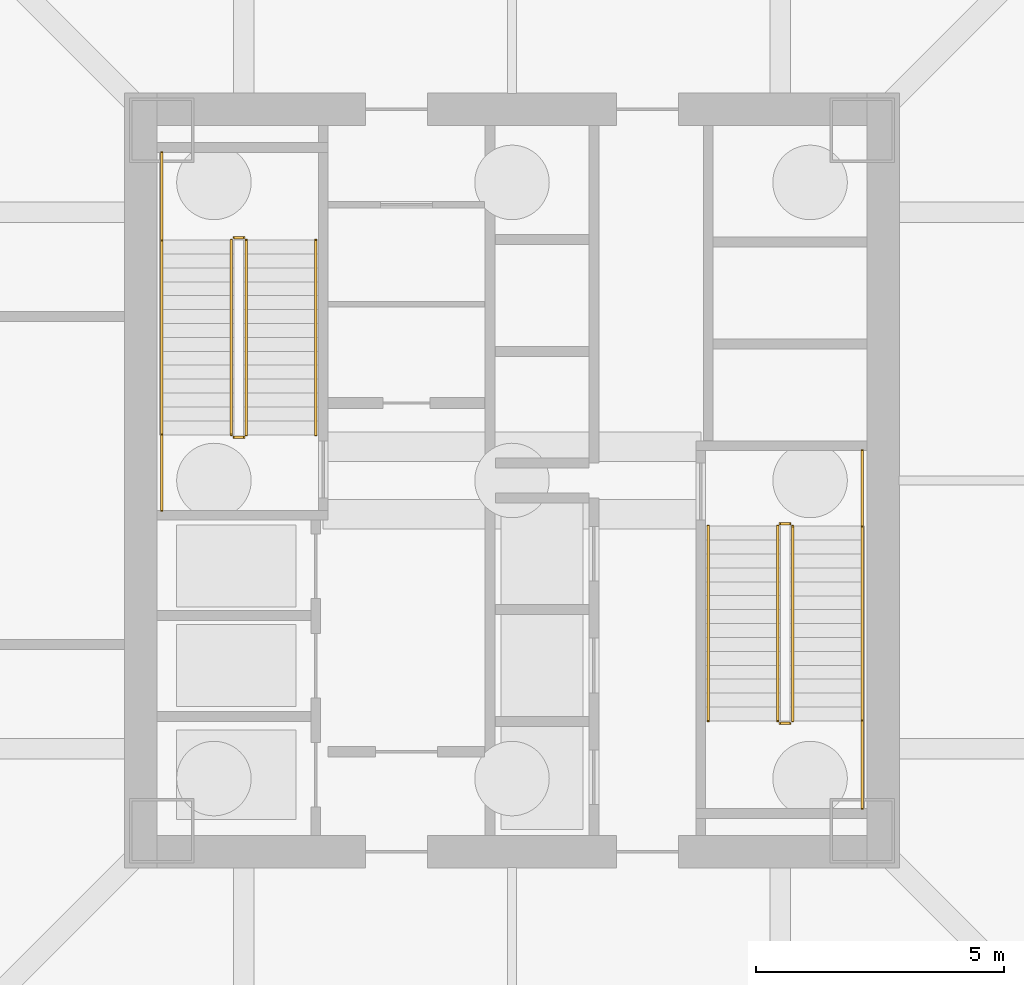
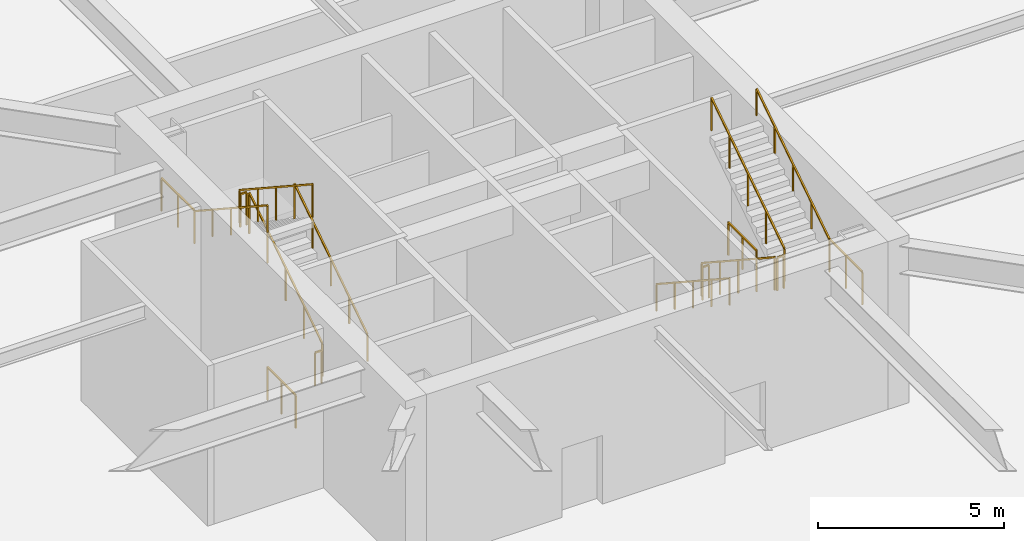
# One storey, part 15 of 19: 16 railings.
"""IFC4 building model written with IfcOpenShell, lengths in metres."""

from ifc_helpers import new_model, si_unit, direction, frame, origin, origin_2d, place, context, subcontext, project, spatial, rectangle, extrude, material, type_object, element, save


model = new_model("IFC4")

# Units and contexts
model_context = context("Model", 3, precision=1e-05, world=origin(), true_north=direction((0.0, 1.0)))
body_context = subcontext(model_context, "Body", "Model", "MODEL_VIEW")
ifc_project = project(units=[si_unit("LENGTHUNIT", "METRE"), si_unit("AREAUNIT", "SQUARE_METRE"), si_unit("VOLUMEUNIT", "CUBIC_METRE"), si_unit("PLANEANGLEUNIT", "RADIAN"), si_unit("MASSUNIT", "GRAM", prefix="KILO")], contexts=[model_context])

# Site, building, storey
site_placement = place(None, origin())
site = spatial("IfcSite", under=ifc_project, at=site_placement, CompositionType="ELEMENT")
building_placement = place(site_placement, origin())
building = spatial("IfcBuilding", under=site, at=building_placement, Name="Tashvorn Skyway Center", CompositionType="ELEMENT")
storey_placement = place(building_placement, frame((0.0, 0.0, -11.0)))
storey = spatial("IfcBuildingStorey", under=building, at=storey_placement, Name="B2", CompositionType="ELEMENT", Elevation=-11.0)

# Railings
ifc_material_1 = material(Name="Brushed stainless steel 316", Category="steel")
railing_type_1 = type_object("IfcRailingType", Name="RAIL-HAND-920", PredefinedType="HANDRAIL", material=ifc_material_1)
railing_1_placement = place(storey_placement, frame((38.050048828125, 32.919921875, 0.183349609375)))
element("IfcRailing", 1, at=railing_1_placement, inside=storey, type_object=railing_type_1, Name="B2 ST-T1-1 stair handrail 1", PredefinedType="HANDRAIL", context=body_context, shape_type="SweptSolid", body=[
    extrude(rectangle(XDim=0.048095703125, YDim=0.048095703125, at=origin_2d()), frame((0.0, 0.0, 0.8759765625), z_axis=(0.0, 0.836630751959, 0.54776727255), x_axis=(-1.0, 0.0, 0.0)), (0.0, 0.0, 1.0), 4.685546875),
    extrude(rectangle(XDim=0.0419921875, YDim=0.0419921875, at=origin_2d()), origin(), (0.0, 0.0, 1.0), 0.851806640625),
    extrude(rectangle(XDim=0.0419921875, YDim=0.0419921875, at=origin_2d()), frame((0.0, 0.97998046875, 0.6416015625)), (0.0, 0.0, 1.0), 0.851806640625),
    extrude(rectangle(XDim=0.0419921875, YDim=0.0419921875, at=origin_2d()), frame((0.0, 1.9599609375, 1.283203125)), (0.0, 0.0, 1.0), 0.851806640625),
    extrude(rectangle(XDim=0.0419921875, YDim=0.0419921875, at=origin_2d()), frame((0.0, 2.940185546875, 1.925048828125)), (0.0, 0.0, 1.0), 0.851806640625),
    extrude(rectangle(XDim=0.0419921875, YDim=0.0419921875, at=origin_2d()), frame((0.0, 3.920166015625, 2.566650390625)), (0.0, 0.0, 1.0), 0.851806640625),
])
for number, where, name in (
    (2, (34.949951171875, 36.840087890625, 2.933349609375), "B2 ST-T1-1 stair handrail 2"),
    (3, (45.949951171875, 31.080078125, 0.183349609375), "B2 ST-T1-2 stair handrail 1"),
):
    element("IfcRailing", number, at=place(storey_placement, frame(where)), inside=storey, type_object=railing_type_1, Name=name, PredefinedType="HANDRAIL", context=body_context, shape_type="SweptSolid", body=[
        extrude(rectangle(XDim=0.048095703125, YDim=0.048095703125, at=origin_2d()), frame((0.0, 0.0, 0.8759765625), z_axis=(0.0, -0.836630751959, 0.54776727255), x_axis=(1.0, 0.0, 0.0)), (0.0, 0.0, 1.0), 4.685546875),
        extrude(rectangle(XDim=0.0419921875, YDim=0.0419921875, at=origin_2d()), origin(), (0.0, 0.0, 1.0), 0.851806640625),
        extrude(rectangle(XDim=0.0419921875, YDim=0.0419921875, at=origin_2d()), frame((0.0, -0.97998046875, 0.6416015625)), (0.0, 0.0, 1.0), 0.851806640625),
        extrude(rectangle(XDim=0.0419921875, YDim=0.0419921875, at=origin_2d()), frame((0.0, -1.9599609375, 1.283203125)), (0.0, 0.0, 1.0), 0.851806640625),
        extrude(rectangle(XDim=0.0419921875, YDim=0.0419921875, at=origin_2d()), frame((0.0, -2.940185546875, 1.925048828125)), (0.0, 0.0, 1.0), 0.851806640625),
        extrude(rectangle(XDim=0.0419921875, YDim=0.0419921875, at=origin_2d()), frame((0.0, -3.920166015625, 2.566650390625)), (0.0, 0.0, 1.0), 0.851806640625),
    ])
railing_2_placement = place(storey_placement, frame((49.050048828125, 27.159912109375, 2.933349609375)))
element("IfcRailing", 4, at=railing_2_placement, inside=storey, type_object=railing_type_1, Name="B2 ST-T1-2 stair handrail 2", PredefinedType="HANDRAIL", context=body_context, shape_type="SweptSolid", body=[
    extrude(rectangle(XDim=0.048095703125, YDim=0.048095703125, at=origin_2d()), frame((0.0, 0.0, 0.8759765625), z_axis=(0.0, 0.836630751959, 0.54776727255), x_axis=(-1.0, 0.0, 0.0)), (0.0, 0.0, 1.0), 4.685546875),
    extrude(rectangle(XDim=0.0419921875, YDim=0.0419921875, at=origin_2d()), origin(), (0.0, 0.0, 1.0), 0.851806640625),
    extrude(rectangle(XDim=0.0419921875, YDim=0.0419921875, at=origin_2d()), frame((0.0, 0.97998046875, 0.6416015625)), (0.0, 0.0, 1.0), 0.851806640625),
    extrude(rectangle(XDim=0.0419921875, YDim=0.0419921875, at=origin_2d()), frame((0.0, 1.9599609375, 1.283203125)), (0.0, 0.0, 1.0), 0.851806640625),
    extrude(rectangle(XDim=0.0419921875, YDim=0.0419921875, at=origin_2d()), frame((0.0, 2.940185546875, 1.925048828125)), (0.0, 0.0, 1.0), 0.851806640625),
    extrude(rectangle(XDim=0.0419921875, YDim=0.0419921875, at=origin_2d()), frame((0.0, 3.920166015625, 2.566650390625)), (0.0, 0.0, 1.0), 0.851806640625),
])
ifc_material_2 = material(Name="Painted galvanized steel S355", Category="steel")
railing_type_2 = type_object("IfcRailingType", Name="RAIL-STGUARD-1100", PredefinedType="GUARDRAIL", material=ifc_material_2)
railing_3_placement = place(storey_placement, frame((36.64990234375, 32.919921875, 0.183349609375)))
element("IfcRailing", 5, at=railing_3_placement, inside=storey, type_object=railing_type_2, Name="B2 ST-T1-1 stair guard 1", PredefinedType="GUARDRAIL", context=body_context, shape_type="SweptSolid", body=[
    extrude(rectangle(XDim=0.048095703125, YDim=0.048095703125, at=origin_2d()), frame((0.0, 0.0, 1.076171875), z_axis=(0.0, 0.836630751959, 0.54776727255), x_axis=(-1.0, 0.0, 0.0)), (0.0, 0.0, 1.0), 4.685546875),
    extrude(rectangle(XDim=0.0419921875, YDim=0.0419921875, at=origin_2d()), origin(), (0.0, 0.0, 1.0), 1.052001953125),
    extrude(rectangle(XDim=0.0419921875, YDim=0.0419921875, at=origin_2d()), frame((0.0, 0.97998046875, 0.6416015625)), (0.0, 0.0, 1.0), 1.052001953125),
    extrude(rectangle(XDim=0.0419921875, YDim=0.0419921875, at=origin_2d()), frame((0.0, 1.9599609375, 1.283203125)), (0.0, 0.0, 1.0), 1.052001953125),
    extrude(rectangle(XDim=0.0419921875, YDim=0.0419921875, at=origin_2d()), frame((0.0, 2.940185546875, 1.925048828125)), (0.0, 0.0, 1.0), 1.052001953125),
    extrude(rectangle(XDim=0.0419921875, YDim=0.0419921875, at=origin_2d()), frame((0.0, 3.920166015625, 2.566650390625)), (0.0, 0.0, 1.0), 1.052001953125),
])
railing_4_placement = place(storey_placement, frame((36.60009765625, 36.889892578125, 2.75)))
element("IfcRailing", 6, at=railing_4_placement, inside=storey, type_object=railing_type_2, Name="B2 ST-T1-1 stair guard 2", PredefinedType="GUARDRAIL", context=body_context, shape_type="SweptSolid", body=[
    extrude(rectangle(XDim=0.048095703125, YDim=0.048095703125, at=origin_2d()), frame((0.0, 0.0, 1.076171875), z_axis=(-1.0, 0.0, 0.0), x_axis=(0.0, -1.0, 0.0)), (0.0, 0.0, 1.0), 0.2001953125),
    extrude(rectangle(XDim=0.0419921875, YDim=0.0419921875, at=origin_2d()), origin(), (0.0, 0.0, 1.0), 1.052001953125),
    extrude(rectangle(XDim=0.0419921875, YDim=0.0419921875, at=origin_2d()), frame((-0.2001953125, 0.0, 0.0)), (0.0, 0.0, 1.0), 1.052001953125),
])
railing_5_placement = place(storey_placement, frame((34.949951171875, 36.840087890625, 2.75)))
element("IfcRailing", 7, at=railing_5_placement, inside=storey, type_object=railing_type_2, Name="B2 ST-T1-1 stair guard 3", PredefinedType="GUARDRAIL", context=body_context, shape_type="SweptSolid", body=[
    extrude(rectangle(XDim=0.048095703125, YDim=0.048095703125, at=origin_2d()), frame((0.0, 0.0, 1.076171875), z_axis=(0.0, 1.0, 0.0), x_axis=(-1.0, 0.0, 0.0)), (0.0, 0.0, 1.0), 1.760009765625),
    extrude(rectangle(XDim=0.0419921875, YDim=0.0419921875, at=origin_2d()), origin(), (0.0, 0.0, 1.0), 1.052001953125),
    extrude(rectangle(XDim=0.0419921875, YDim=0.0419921875, at=origin_2d()), frame((0.0, 0.8798828125, 0.0)), (0.0, 0.0, 1.0), 1.052001953125),
    extrude(rectangle(XDim=0.0419921875, YDim=0.0419921875, at=origin_2d()), frame((0.0, 1.760009765625, 0.0)), (0.0, 0.0, 1.0), 1.052001953125),
])
railing_6_placement = place(storey_placement, frame((36.35009765625, 36.840087890625, 2.933349609375)))
element("IfcRailing", 8, at=railing_6_placement, inside=storey, type_object=railing_type_2, Name="B2 ST-T1-1 stair guard 4", PredefinedType="GUARDRAIL", context=body_context, shape_type="SweptSolid", body=[
    extrude(rectangle(XDim=0.048095703125, YDim=0.048095703125, at=origin_2d()), frame((0.0, 0.0, 1.076171875), z_axis=(0.0, -0.836630751959, 0.54776727255), x_axis=(1.0, 0.0, 0.0)), (0.0, 0.0, 1.0), 4.685546875),
    extrude(rectangle(XDim=0.0419921875, YDim=0.0419921875, at=origin_2d()), origin(), (0.0, 0.0, 1.0), 1.052001953125),
    extrude(rectangle(XDim=0.0419921875, YDim=0.0419921875, at=origin_2d()), frame((0.0, -0.97998046875, 0.6416015625)), (0.0, 0.0, 1.0), 1.052001953125),
    extrude(rectangle(XDim=0.0419921875, YDim=0.0419921875, at=origin_2d()), frame((0.0, -1.9599609375, 1.283203125)), (0.0, 0.0, 1.0), 1.052001953125),
    extrude(rectangle(XDim=0.0419921875, YDim=0.0419921875, at=origin_2d()), frame((0.0, -2.940185546875, 1.925048828125)), (0.0, 0.0, 1.0), 1.052001953125),
    extrude(rectangle(XDim=0.0419921875, YDim=0.0419921875, at=origin_2d()), frame((0.0, -3.920166015625, 2.566650390625)), (0.0, 0.0, 1.0), 1.052001953125),
])
railing_7_placement = place(storey_placement, frame((36.60009765625, 32.8701171875, 0.0)))
element("IfcRailing", 9, at=railing_7_placement, inside=storey, type_object=railing_type_2, Name="B2 ST-T1-1 stair guard 5", PredefinedType="GUARDRAIL", context=body_context, shape_type="SweptSolid", body=[
    extrude(rectangle(XDim=0.048095703125, YDim=0.048095703125, at=origin_2d()), frame((0.0, 0.0, 1.076171875), z_axis=(-1.0, 0.0, 0.0), x_axis=(0.0, -1.0, 0.0)), (0.0, 0.0, 1.0), 0.2001953125),
    extrude(rectangle(XDim=0.0419921875, YDim=0.0419921875, at=origin_2d()), origin(), (0.0, 0.0, 1.0), 1.052001953125),
    extrude(rectangle(XDim=0.0419921875, YDim=0.0419921875, at=origin_2d()), frame((-0.2001953125, 0.0, 0.0)), (0.0, 0.0, 1.0), 1.052001953125),
])
railing_8_placement = place(storey_placement, frame((34.949951171875, 31.39990234375, 0.0)))
element("IfcRailing", 10, at=railing_8_placement, inside=storey, type_object=railing_type_2, Name="B2 ST-T1-1 stair guard 6", PredefinedType="GUARDRAIL", context=body_context, shape_type="SweptSolid", body=[
    extrude(rectangle(XDim=0.048095703125, YDim=0.048095703125, at=origin_2d()), frame((0.0, 0.0, 1.076171875), z_axis=(0.0, 1.0, 0.0), x_axis=(-1.0, 0.0, 0.0)), (0.0, 0.0, 1.0), 1.52001953125),
    extrude(rectangle(XDim=0.0419921875, YDim=0.0419921875, at=origin_2d()), origin(), (0.0, 0.0, 1.0), 1.052001953125),
    extrude(rectangle(XDim=0.0419921875, YDim=0.0419921875, at=origin_2d()), frame((0.0, 0.760009765625, 0.0)), (0.0, 0.0, 1.0), 1.052001953125),
    extrude(rectangle(XDim=0.0419921875, YDim=0.0419921875, at=origin_2d()), frame((0.0, 1.52001953125, 0.0)), (0.0, 0.0, 1.0), 1.052001953125),
])
railing_9_placement = place(storey_placement, frame((47.35009765625, 31.080078125, 0.183349609375)))
element("IfcRailing", 11, at=railing_9_placement, inside=storey, type_object=railing_type_2, Name="B2 ST-T1-2 stair guard 1", PredefinedType="GUARDRAIL", context=body_context, shape_type="SweptSolid", body=[
    extrude(rectangle(XDim=0.048095703125, YDim=0.048095703125, at=origin_2d()), frame((0.0, 0.0, 1.076171875), z_axis=(0.0, -0.836630751959, 0.54776727255), x_axis=(1.0, 0.0, 0.0)), (0.0, 0.0, 1.0), 4.685546875),
    extrude(rectangle(XDim=0.0419921875, YDim=0.0419921875, at=origin_2d()), origin(), (0.0, 0.0, 1.0), 1.052001953125),
    extrude(rectangle(XDim=0.0419921875, YDim=0.0419921875, at=origin_2d()), frame((0.0, -0.97998046875, 0.6416015625)), (0.0, 0.0, 1.0), 1.052001953125),
    extrude(rectangle(XDim=0.0419921875, YDim=0.0419921875, at=origin_2d()), frame((0.0, -1.9599609375, 1.283203125)), (0.0, 0.0, 1.0), 1.052001953125),
    extrude(rectangle(XDim=0.0419921875, YDim=0.0419921875, at=origin_2d()), frame((0.0, -2.940185546875, 1.925048828125)), (0.0, 0.0, 1.0), 1.052001953125),
    extrude(rectangle(XDim=0.0419921875, YDim=0.0419921875, at=origin_2d()), frame((0.0, -3.920166015625, 2.566650390625)), (0.0, 0.0, 1.0), 1.052001953125),
])
railing_10_placement = place(storey_placement, frame((47.39990234375, 27.110107421875, 2.75)))
element("IfcRailing", 12, at=railing_10_placement, inside=storey, type_object=railing_type_2, Name="B2 ST-T1-2 stair guard 2", PredefinedType="GUARDRAIL", context=body_context, shape_type="SweptSolid", body=[
    extrude(rectangle(XDim=0.048095703125, YDim=0.048095703125, at=origin_2d()), frame((0.0, 0.0, 1.076171875), z_axis=(1.0, 0.0, 0.0), x_axis=(0.0, 1.0, 0.0)), (0.0, 0.0, 1.0), 0.2001953125),
    extrude(rectangle(XDim=0.0419921875, YDim=0.0419921875, at=origin_2d()), origin(), (0.0, 0.0, 1.0), 1.052001953125),
    extrude(rectangle(XDim=0.0419921875, YDim=0.0419921875, at=origin_2d()), frame((0.2001953125, 0.0, 0.0)), (0.0, 0.0, 1.0), 1.052001953125),
])
railing_11_placement = place(storey_placement, frame((49.050048828125, 27.159912109375, 2.75)))
element("IfcRailing", 13, at=railing_11_placement, inside=storey, type_object=railing_type_2, Name="B2 ST-T1-2 stair guard 3", PredefinedType="GUARDRAIL", context=body_context, shape_type="SweptSolid", body=[
    extrude(rectangle(XDim=0.048095703125, YDim=0.048095703125, at=origin_2d()), frame((0.0, 0.0, 1.076171875), z_axis=(0.0, -1.0, 0.0), x_axis=(1.0, 0.0, 0.0)), (0.0, 0.0, 1.0), 1.760009765625),
    extrude(rectangle(XDim=0.0419921875, YDim=0.0419921875, at=origin_2d()), origin(), (0.0, 0.0, 1.0), 1.052001953125),
    extrude(rectangle(XDim=0.0419921875, YDim=0.0419921875, at=origin_2d()), frame((0.0, -0.8798828125, 0.0)), (0.0, 0.0, 1.0), 1.052001953125),
    extrude(rectangle(XDim=0.0419921875, YDim=0.0419921875, at=origin_2d()), frame((0.0, -1.760009765625, 0.0)), (0.0, 0.0, 1.0), 1.052001953125),
])
railing_12_placement = place(storey_placement, frame((47.64990234375, 27.159912109375, 2.933349609375)))
element("IfcRailing", 14, at=railing_12_placement, inside=storey, type_object=railing_type_2, Name="B2 ST-T1-2 stair guard 4", PredefinedType="GUARDRAIL", context=body_context, shape_type="SweptSolid", body=[
    extrude(rectangle(XDim=0.048095703125, YDim=0.048095703125, at=origin_2d()), frame((0.0, 0.0, 1.076171875), z_axis=(0.0, 0.836630751959, 0.54776727255), x_axis=(-1.0, 0.0, 0.0)), (0.0, 0.0, 1.0), 4.685546875),
    extrude(rectangle(XDim=0.0419921875, YDim=0.0419921875, at=origin_2d()), origin(), (0.0, 0.0, 1.0), 1.052001953125),
    extrude(rectangle(XDim=0.0419921875, YDim=0.0419921875, at=origin_2d()), frame((0.0, 0.97998046875, 0.6416015625)), (0.0, 0.0, 1.0), 1.052001953125),
    extrude(rectangle(XDim=0.0419921875, YDim=0.0419921875, at=origin_2d()), frame((0.0, 1.9599609375, 1.283203125)), (0.0, 0.0, 1.0), 1.052001953125),
    extrude(rectangle(XDim=0.0419921875, YDim=0.0419921875, at=origin_2d()), frame((0.0, 2.940185546875, 1.925048828125)), (0.0, 0.0, 1.0), 1.052001953125),
    extrude(rectangle(XDim=0.0419921875, YDim=0.0419921875, at=origin_2d()), frame((0.0, 3.920166015625, 2.566650390625)), (0.0, 0.0, 1.0), 1.052001953125),
])
railing_13_placement = place(storey_placement, frame((47.39990234375, 31.1298828125, 0.0)))
element("IfcRailing", 15, at=railing_13_placement, inside=storey, type_object=railing_type_2, Name="B2 ST-T1-2 stair guard 5", PredefinedType="GUARDRAIL", context=body_context, shape_type="SweptSolid", body=[
    extrude(rectangle(XDim=0.048095703125, YDim=0.048095703125, at=origin_2d()), frame((0.0, 0.0, 1.076171875), z_axis=(1.0, 0.0, 0.0), x_axis=(0.0, 1.0, 0.0)), (0.0, 0.0, 1.0), 0.2001953125),
    extrude(rectangle(XDim=0.0419921875, YDim=0.0419921875, at=origin_2d()), origin(), (0.0, 0.0, 1.0), 1.052001953125),
    extrude(rectangle(XDim=0.0419921875, YDim=0.0419921875, at=origin_2d()), frame((0.2001953125, 0.0, 0.0)), (0.0, 0.0, 1.0), 1.052001953125),
])
railing_14_placement = place(storey_placement, frame((49.050048828125, 32.60009765625, 0.0)))
element("IfcRailing", 16, at=railing_14_placement, inside=storey, type_object=railing_type_2, Name="B2 ST-T1-2 stair guard 6", PredefinedType="GUARDRAIL", context=body_context, shape_type="SweptSolid", body=[
    extrude(rectangle(XDim=0.048095703125, YDim=0.048095703125, at=origin_2d()), frame((0.0, 0.0, 1.076171875), z_axis=(0.0, -1.0, 0.0), x_axis=(1.0, 0.0, 0.0)), (0.0, 0.0, 1.0), 1.52001953125),
    extrude(rectangle(XDim=0.0419921875, YDim=0.0419921875, at=origin_2d()), origin(), (0.0, 0.0, 1.0), 1.052001953125),
    extrude(rectangle(XDim=0.0419921875, YDim=0.0419921875, at=origin_2d()), frame((0.0, -0.760009765625, 0.0)), (0.0, 0.0, 1.0), 1.052001953125),
    extrude(rectangle(XDim=0.0419921875, YDim=0.0419921875, at=origin_2d()), frame((0.0, -1.52001953125, 0.0)), (0.0, 0.0, 1.0), 1.052001953125),
])

save(model, "model.ifc")
